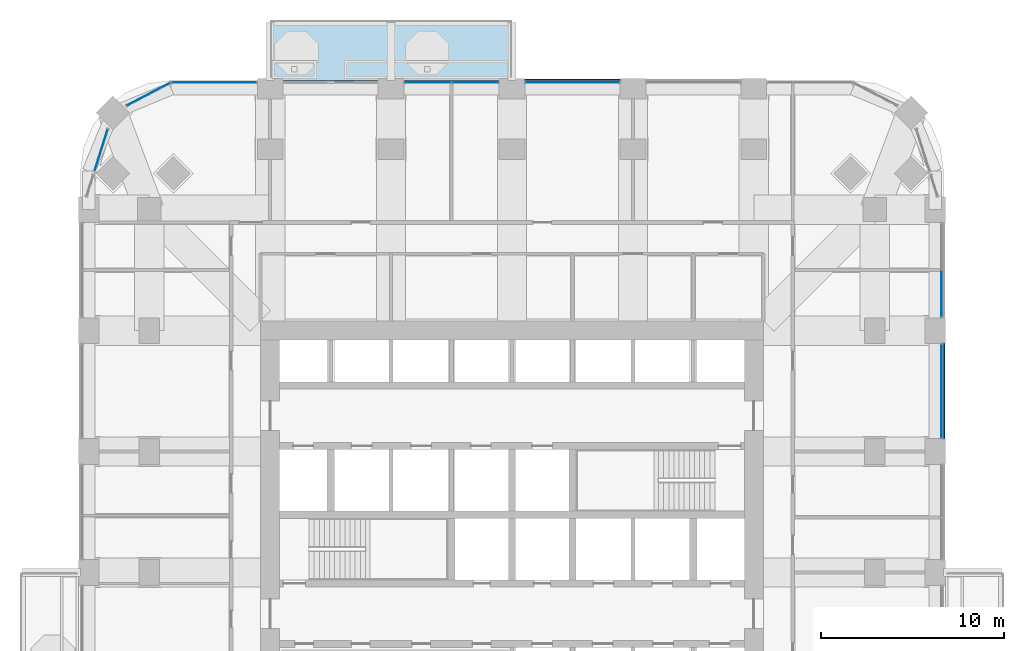
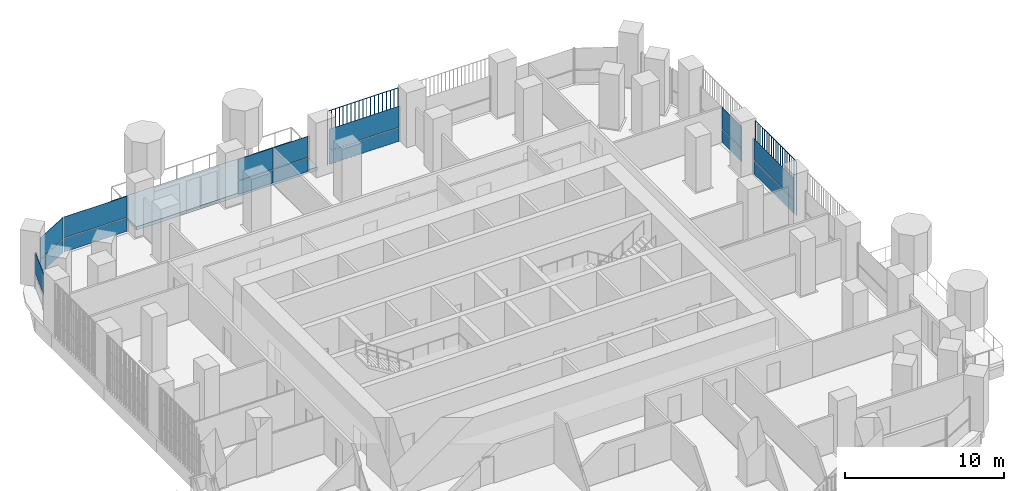
# One storey, part 11 of 21: 17 plates, 1 slab, 7 elements without a shape of their own.
"""IFC4 building model written with IfcOpenShell, lengths in metres."""

from ifc_helpers import new_model, si_unit, direction, frame, origin, origin_2d, place, context, subcontext, project, spatial, polyline, rectangle, outline, extrude, material, layer, layer_set, type_object, element, aggregate, save


model = new_model("IFC4")

# Units and contexts
model_context = context("Model", 3, precision=1e-05, world=origin(), true_north=direction((0.0, 1.0)))
body_context = subcontext(model_context, "Body", "Model", "MODEL_VIEW")
ifc_project = project(units=[si_unit("LENGTHUNIT", "METRE"), si_unit("AREAUNIT", "SQUARE_METRE"), si_unit("VOLUMEUNIT", "CUBIC_METRE"), si_unit("PLANEANGLEUNIT", "RADIAN"), si_unit("MASSUNIT", "GRAM", prefix="KILO")], contexts=[model_context])

# Site, building, storey
site_placement = place(None, origin())
site = spatial("IfcSite", under=ifc_project, at=site_placement, CompositionType="ELEMENT")
building_placement = place(site_placement, origin())
building = spatial("IfcBuilding", under=site, at=building_placement, Name="Cobogo Forest Laboratory Tower", CompositionType="ELEMENT")
storey_placement = place(building_placement, frame((0.0, 0.0, 132.60009765625)))
storey = spatial("IfcBuildingStorey", under=building, at=storey_placement, Name="L30", CompositionType="ELEMENT", Elevation=132.60009765625)

# Slab
ifc_material_1 = material(Name="Concrete HA-40 (C40/50)", Category="concrete")
ifc_layer_1 = layer(ifc_material_1, 0.25)
ifc_layer_set_1 = layer_set([ifc_layer_1], Name="Balcony slab 250")
slab_type = type_object("IfcSlabType", Name="Balcony slab 250", PredefinedType="FLOOR", material=ifc_layer_set_1)
slab_placement = place(storey_placement, frame((0.0, 0.0, -0.25)))
element("IfcSlab", 1, at=slab_placement, inside=storey, type_object=slab_type, Name="Balcony BAL-N1 L30", PredefinedType="FLOOR", context=body_context, shape_type="SweptSolid", body=[
    extrude(outline(polyline([(13.199951171875, 46.64990234375), (26.39990234375, 46.64990234375), (26.39990234375, 49.949951171875), (13.199951171875, 49.949951171875), (13.199951171875, 46.64990234375)])), origin(), (0.0, 0.0, 1.0), 0.25),
])

# Curtain wall, plates
ifc_material_2 = material(Name="Aluminium curtain wall", Category="aluminium")
curtain_wall_type = type_object("IfcCurtainWallType", Name="CW-1 unitised curtain wall, clear glazing, laboratory floors zones A and B", PredefinedType="USERDEFINED", material=ifc_material_2)
curtain_wall_1_placement = place(storey_placement, origin())
curtain_wall_1 = element("IfcCurtainWall", 2, at=curtain_wall_1_placement, inside=storey, type_object=curtain_wall_type, Name="Curtain wall 13 L30", ObjectType="UNITISED CURTAIN WALL", PredefinedType="USERDEFINED")
ifc_material_3 = material(Name="Clear insulated glass", Category="glass")
ifc_layer_2 = layer(ifc_material_3, 0.028076171875)
ifc_layer_set_2 = layer_set([ifc_layer_2], Name="GP-1 clear insulated glass unit 28")
plate_type_1 = type_object("IfcPlateType", Name="GP-1 clear insulated glass unit 28", PredefinedType="CURTAIN_PANEL", material=ifc_layer_set_2)
plate_1_placement = place(storey_placement, frame((49.85009765625, 29.699951171875, 0.0), z_axis=(0.0, 0.0, 1.0), x_axis=(0.0, 1.0, 0.0)))
plate_1 = element("IfcPlate", 3, at=plate_1_placement, type_object=plate_type_1, Name="CW-1 panel 1.1", PredefinedType="CURTAIN_PANEL", context=body_context, shape_type="SweptSolid", body=[
    extrude(rectangle(XDim=5.080078125, YDim=0.028076171875, at=origin_2d()), origin(), (0.0, 0.0, 1.0), 1.02001953125),
])
plate_2_placement = place(storey_placement, frame((49.85009765625, 29.699951171875, 1.079833984375), z_axis=(0.0, 0.0, 1.0), x_axis=(0.0, 1.0, 0.0)))
plate_2 = element("IfcPlate", 4, at=plate_2_placement, type_object=plate_type_1, Name="CW-1 panel 1.2", PredefinedType="CURTAIN_PANEL", context=body_context, shape_type="SweptSolid", body=[
    extrude(rectangle(XDim=5.080078125, YDim=0.028076171875, at=origin_2d()), origin(), (0.0, 0.0, 1.0), 1.6201171875),
])
aggregate(curtain_wall_1, [plate_1, plate_2])

curtain_wall_2_placement = place(storey_placement, origin())
curtain_wall_2 = element("IfcCurtainWall", 5, at=curtain_wall_2_placement, inside=storey, type_object=curtain_wall_type, Name="Curtain wall 14 L30", ObjectType="UNITISED CURTAIN WALL", PredefinedType="USERDEFINED")
plate_3_placement = place(storey_placement, frame((49.85009765625, 35.014892578125, 0.0), z_axis=(0.0, 0.0, 1.0), x_axis=(0.0, 1.0, 0.0)))
plate_3 = element("IfcPlate", 6, at=plate_3_placement, type_object=plate_type_1, Name="CW-1 panel 1.1", PredefinedType="CURTAIN_PANEL", context=body_context, shape_type="SweptSolid", body=[
    extrude(rectangle(XDim=2.510009765625, YDim=0.028076171875, at=origin_2d()), origin(), (0.0, 0.0, 1.0), 1.02001953125),
])
plate_4_placement = place(storey_placement, frame((49.85009765625, 35.014892578125, 1.079833984375), z_axis=(0.0, 0.0, 1.0), x_axis=(0.0, 1.0, 0.0)))
plate_4 = element("IfcPlate", 7, at=plate_4_placement, type_object=plate_type_1, Name="CW-1 panel 1.2", PredefinedType="CURTAIN_PANEL", context=body_context, shape_type="SweptSolid", body=[
    extrude(rectangle(XDim=2.510009765625, YDim=0.028076171875, at=origin_2d()), origin(), (0.0, 0.0, 1.0), 1.6201171875),
])
aggregate(curtain_wall_2, [plate_3, plate_4])

curtain_wall_3_placement = place(storey_placement, origin())
curtain_wall_3 = element("IfcCurtainWall", 8, at=curtain_wall_3_placement, inside=storey, type_object=curtain_wall_type, Name="Curtain wall 20 L30", ObjectType="UNITISED CURTAIN WALL", PredefinedType="USERDEFINED")
plate_5_placement = place(storey_placement, frame((29.699951171875, 46.550048828125, 0.0), z_axis=(0.0, 0.0, 1.0), x_axis=(-1.0, 0.0, 0.0)))
plate_5 = element("IfcPlate", 9, at=plate_5_placement, type_object=plate_type_1, Name="CW-1 panel 1.1", PredefinedType="CURTAIN_PANEL", context=body_context, shape_type="SweptSolid", body=[
    extrude(rectangle(XDim=5.080078125, YDim=0.028076171875, at=origin_2d()), origin(), (0.0, 0.0, 1.0), 1.02001953125),
])
plate_6_placement = place(storey_placement, frame((29.699951171875, 46.550048828125, 1.079833984375), z_axis=(0.0, 0.0, 1.0), x_axis=(-1.0, 0.0, 0.0)))
plate_6 = element("IfcPlate", 10, at=plate_6_placement, type_object=plate_type_1, Name="CW-1 panel 1.2", PredefinedType="CURTAIN_PANEL", context=body_context, shape_type="SweptSolid", body=[
    extrude(rectangle(XDim=5.080078125, YDim=0.028076171875, at=origin_2d()), origin(), (0.0, 0.0, 1.0), 1.6201171875),
])
aggregate(curtain_wall_3, [plate_5, plate_6])

curtain_wall_4_placement = place(storey_placement, origin())
curtain_wall_4 = element("IfcCurtainWall", 11, at=curtain_wall_4_placement, inside=storey, type_object=curtain_wall_type, Name="Curtain wall 21 L30", ObjectType="UNITISED CURTAIN WALL", PredefinedType="USERDEFINED")
plate_7_placement = place(storey_placement, frame((24.385009765625, 46.550048828125, 0.0), z_axis=(0.0, 0.0, 1.0), x_axis=(-1.0, 0.0, 0.0)))
plate_7 = element("IfcPlate", 12, at=plate_7_placement, type_object=plate_type_1, Name="CW-1 panel 1.1", PredefinedType="CURTAIN_PANEL", context=body_context, shape_type="SweptSolid", body=[
    extrude(rectangle(XDim=2.510009765625, YDim=0.028076171875, at=origin_2d()), origin(), (0.0, 0.0, 1.0), 1.02001953125),
])
plate_8_placement = place(storey_placement, frame((24.385009765625, 46.550048828125, 1.079833984375), z_axis=(0.0, 0.0, 1.0), x_axis=(-1.0, 0.0, 0.0)))
plate_8 = element("IfcPlate", 13, at=plate_8_placement, type_object=plate_type_1, Name="CW-1 panel 1.2", PredefinedType="CURTAIN_PANEL", context=body_context, shape_type="SweptSolid", body=[
    extrude(rectangle(XDim=2.510009765625, YDim=0.028076171875, at=origin_2d()), origin(), (0.0, 0.0, 1.0), 1.6201171875),
])
plate_9_placement = place(storey_placement, frame((21.81494140625, 46.550048828125, 0.0), z_axis=(0.0, 0.0, 1.0), x_axis=(-1.0, 0.0, 0.0)))
plate_9 = element("IfcPlate", 14, at=plate_9_placement, type_object=plate_type_1, Name="CW-1 panel 2.1", PredefinedType="CURTAIN_PANEL", context=body_context, shape_type="SweptSolid", body=[
    extrude(rectangle(XDim=2.510009765625, YDim=0.028076171875, at=origin_2d()), origin(), (0.0, 0.0, 1.0), 1.02001953125),
])
plate_10_placement = place(storey_placement, frame((21.81494140625, 46.550048828125, 1.079833984375), z_axis=(0.0, 0.0, 1.0), x_axis=(-1.0, 0.0, 0.0)))
plate_10 = element("IfcPlate", 15, at=plate_10_placement, type_object=plate_type_1, Name="CW-1 panel 2.2", PredefinedType="CURTAIN_PANEL", context=body_context, shape_type="SweptSolid", body=[
    extrude(rectangle(XDim=2.510009765625, YDim=0.028076171875, at=origin_2d()), origin(), (0.0, 0.0, 1.0), 1.6201171875),
])
aggregate(curtain_wall_4, [plate_7, plate_8, plate_9, plate_10])

curtain_wall_5_placement = place(storey_placement, origin())
curtain_wall_5 = element("IfcCurtainWall", 16, at=curtain_wall_5_placement, inside=storey, type_object=curtain_wall_type, Name="Curtain wall 23 L30", ObjectType="UNITISED CURTAIN WALL", PredefinedType="USERDEFINED")
plate_11_placement = place(storey_placement, frame((10.14990234375, 46.550048828125, 0.0), z_axis=(0.0, 0.0, 1.0), x_axis=(-1.0, 0.0, 0.0)))
plate_11 = element("IfcPlate", 17, at=plate_11_placement, type_object=plate_type_1, Name="CW-1 panel 1.1", PredefinedType="CURTAIN_PANEL", context=body_context, shape_type="SweptSolid", body=[
    extrude(rectangle(XDim=4.580078125, YDim=0.028076171875, at=origin_2d()), origin(), (0.0, 0.0, 1.0), 1.02001953125),
])
plate_12_placement = place(storey_placement, frame((10.14990234375, 46.550048828125, 1.079833984375), z_axis=(0.0, 0.0, 1.0), x_axis=(-1.0, 0.0, 0.0)))
plate_12 = element("IfcPlate", 18, at=plate_12_placement, type_object=plate_type_1, Name="CW-1 panel 1.2", PredefinedType="CURTAIN_PANEL", context=body_context, shape_type="SweptSolid", body=[
    extrude(rectangle(XDim=4.580078125, YDim=0.028076171875, at=origin_2d()), origin(), (0.0, 0.0, 1.0), 1.6201171875),
])
aggregate(curtain_wall_5, [plate_11, plate_12])

curtain_wall_6_placement = place(storey_placement, origin())
curtain_wall_6 = element("IfcCurtainWall", 19, at=curtain_wall_6_placement, inside=storey, type_object=curtain_wall_type, Name="Curtain wall 24 L30", ObjectType="UNITISED CURTAIN WALL", PredefinedType="USERDEFINED")
plate_13_placement = place(storey_placement, frame((6.57080078125, 45.90576171875, 0.0), z_axis=(0.0, 0.0, 1.0), x_axis=(-0.885686547075, -0.464283685186, 0.0)))
plate_13 = element("IfcPlate", 20, at=plate_13_placement, type_object=plate_type_1, Name="CW-1 panel 1.1", PredefinedType="CURTAIN_PANEL", context=body_context, shape_type="SweptSolid", body=[
    extrude(rectangle(XDim=2.655517578125, YDim=0.028076171875, at=origin_2d()), origin(), (0.0, 0.0, 1.0), 1.02001953125),
])
plate_14_placement = place(storey_placement, frame((6.57080078125, 45.90576171875, 1.079833984375), z_axis=(0.0, 0.0, 1.0), x_axis=(-0.885686547075, -0.464283685186, 0.0)))
plate_14 = element("IfcPlate", 21, at=plate_14_placement, type_object=plate_type_1, Name="CW-1 panel 1.2", PredefinedType="CURTAIN_PANEL", context=body_context, shape_type="SweptSolid", body=[
    extrude(rectangle(XDim=2.655517578125, YDim=0.028076171875, at=origin_2d()), origin(), (0.0, 0.0, 1.0), 1.6201171875),
])
aggregate(curtain_wall_6, [plate_13, plate_14])

# Curtain wall, plate
curtain_wall_7_placement = place(storey_placement, origin())
curtain_wall_7 = element("IfcCurtainWall", 22, at=curtain_wall_7_placement, inside=storey, type_object=curtain_wall_type, Name="Curtain wall 25 L30", ObjectType="UNITISED CURTAIN WALL", PredefinedType="USERDEFINED")
plate_15_placement = place(storey_placement, frame((3.978759765625, 42.857421875, 1.079833984375), z_axis=(0.0, 0.0, 1.0), x_axis=(-0.301135291996, -0.953581425949, 0.0)))
plate_15 = element("IfcPlate", 23, at=plate_15_placement, type_object=plate_type_1, Name="CW-1 panel 1.2", PredefinedType="CURTAIN_PANEL", context=body_context, shape_type="SweptSolid", body=[
    extrude(rectangle(XDim=2.3681640625, YDim=0.028076171875, at=origin_2d()), origin(), (0.0, 0.0, 1.0), 1.6201171875),
])
aggregate(curtain_wall_7, [plate_15])

# Plates
ifc_material_4 = material(Name="Terracotta", Category="masonry")
plate_type_2 = type_object("IfcPlateType", Name="TB1 terracotta baguette screen", PredefinedType="USERDEFINED", material=ifc_material_4)
plate_16_placement = place(storey_placement, frame((49.977783203125, 27.13134765625, -0.150146484375)))
element("IfcPlate", 24, at=plate_16_placement, inside=storey, type_object=plate_type_2, Name="Baguette screen E4 L30", ObjectType="BAGUETTE SCREEN", PredefinedType="USERDEFINED", context=body_context, shape_type="SweptSolid", body=[
    extrude(outline(polyline([(0.02880859375, 0.011962890625), (0.011962890625, 0.02880859375), (-0.011962890625, 0.02880859375), (-0.02880859375, 0.011962890625), (-0.02880859375, -0.011962890625), (-0.011962890625, -0.02880859375), (0.011962890625, -0.02880859375), (0.02880859375, -0.011962890625), (0.02880859375, 0.011962890625)])), frame((0.0, 0.0, 4.168701171875), z_axis=(0.0, 1.0, 0.0), x_axis=(-1.0, 0.0, 0.0)), (0.0, 0.0, 1.0), 5.137451171875),
    extrude(outline(polyline([(0.02880859375, 0.011962890625), (0.011962890625, 0.02880859375), (-0.011962890625, 0.02880859375), (-0.02880859375, 0.011962890625), (-0.02880859375, -0.011962890625), (-0.011962890625, -0.02880859375), (0.011962890625, -0.02880859375), (0.02880859375, -0.011962890625), (0.02880859375, 0.011962890625)])), origin(), (0.0, 0.0, 1.0), 4.137451171875),
    extrude(outline(polyline([(0.02880859375, 0.011962890625), (0.011962890625, 0.02880859375), (-0.011962890625, 0.02880859375), (-0.02880859375, 0.011962890625), (-0.02880859375, -0.011962890625), (-0.011962890625, -0.02880859375), (0.011962890625, -0.02880859375), (0.02880859375, -0.011962890625), (0.02880859375, 0.011962890625)])), frame((0.0, 0.285400390625, 0.0)), (0.0, 0.0, 1.0), 4.137451171875),
    extrude(outline(polyline([(0.02880859375, 0.011962890625), (0.011962890625, 0.02880859375), (-0.011962890625, 0.02880859375), (-0.02880859375, 0.011962890625), (-0.02880859375, -0.011962890625), (-0.011962890625, -0.02880859375), (0.011962890625, -0.02880859375), (0.02880859375, -0.011962890625), (0.02880859375, 0.011962890625)])), frame((0.0, 0.57080078125, 0.0)), (0.0, 0.0, 1.0), 4.137451171875),
    extrude(outline(polyline([(0.02880859375, 0.011962890625), (0.011962890625, 0.02880859375), (-0.011962890625, 0.02880859375), (-0.02880859375, 0.011962890625), (-0.02880859375, -0.011962890625), (-0.011962890625, -0.02880859375), (0.011962890625, -0.02880859375), (0.02880859375, -0.011962890625), (0.02880859375, 0.011962890625)])), frame((0.0, 0.856201171875, 0.0)), (0.0, 0.0, 1.0), 4.137451171875),
    extrude(outline(polyline([(0.02880859375, 0.011962890625), (0.011962890625, 0.02880859375), (-0.011962890625, 0.02880859375), (-0.02880859375, 0.011962890625), (-0.02880859375, -0.011962890625), (-0.011962890625, -0.02880859375), (0.011962890625, -0.02880859375), (0.02880859375, -0.011962890625), (0.02880859375, 0.011962890625)])), frame((0.0, 1.1416015625, 0.0)), (0.0, 0.0, 1.0), 4.137451171875),
    extrude(outline(polyline([(0.02880859375, 0.011962890625), (0.011962890625, 0.02880859375), (-0.011962890625, 0.02880859375), (-0.02880859375, 0.011962890625), (-0.02880859375, -0.011962890625), (-0.011962890625, -0.02880859375), (0.011962890625, -0.02880859375), (0.02880859375, -0.011962890625), (0.02880859375, 0.011962890625)])), frame((0.0, 1.427001953125, 0.0)), (0.0, 0.0, 1.0), 4.137451171875),
    extrude(outline(polyline([(0.02880859375, 0.011962890625), (0.011962890625, 0.02880859375), (-0.011962890625, 0.02880859375), (-0.02880859375, 0.011962890625), (-0.02880859375, -0.011962890625), (-0.011962890625, -0.02880859375), (0.011962890625, -0.02880859375), (0.02880859375, -0.011962890625), (0.02880859375, 0.011962890625)])), frame((0.0, 1.71240234375, 0.0)), (0.0, 0.0, 1.0), 4.137451171875),
    extrude(outline(polyline([(0.02880859375, 0.011962890625), (0.011962890625, 0.02880859375), (-0.011962890625, 0.02880859375), (-0.02880859375, 0.011962890625), (-0.02880859375, -0.011962890625), (-0.011962890625, -0.02880859375), (0.011962890625, -0.02880859375), (0.02880859375, -0.011962890625), (0.02880859375, 0.011962890625)])), frame((0.0, 1.997802734375, 0.0)), (0.0, 0.0, 1.0), 4.137451171875),
    extrude(outline(polyline([(0.02880859375, 0.011962890625), (0.011962890625, 0.02880859375), (-0.011962890625, 0.02880859375), (-0.02880859375, 0.011962890625), (-0.02880859375, -0.011962890625), (-0.011962890625, -0.02880859375), (0.011962890625, -0.02880859375), (0.02880859375, -0.011962890625), (0.02880859375, 0.011962890625)])), frame((0.0, 2.283203125, 0.0)), (0.0, 0.0, 1.0), 4.137451171875),
    extrude(outline(polyline([(0.02880859375, 0.011962890625), (0.011962890625, 0.02880859375), (-0.011962890625, 0.02880859375), (-0.02880859375, 0.011962890625), (-0.02880859375, -0.011962890625), (-0.011962890625, -0.02880859375), (0.011962890625, -0.02880859375), (0.02880859375, -0.011962890625), (0.02880859375, 0.011962890625)])), frame((0.0, 2.56884765625, 0.0)), (0.0, 0.0, 1.0), 4.137451171875),
    extrude(outline(polyline([(0.02880859375, 0.011962890625), (0.011962890625, 0.02880859375), (-0.011962890625, 0.02880859375), (-0.02880859375, 0.011962890625), (-0.02880859375, -0.011962890625), (-0.011962890625, -0.02880859375), (0.011962890625, -0.02880859375), (0.02880859375, -0.011962890625), (0.02880859375, 0.011962890625)])), frame((0.0, 2.854248046875, 0.0)), (0.0, 0.0, 1.0), 4.137451171875),
    extrude(outline(polyline([(0.02880859375, 0.011962890625), (0.011962890625, 0.02880859375), (-0.011962890625, 0.02880859375), (-0.02880859375, 0.011962890625), (-0.02880859375, -0.011962890625), (-0.011962890625, -0.02880859375), (0.011962890625, -0.02880859375), (0.02880859375, -0.011962890625), (0.02880859375, 0.011962890625)])), frame((0.0, 3.1396484375, 0.0)), (0.0, 0.0, 1.0), 4.137451171875),
    extrude(outline(polyline([(0.02880859375, 0.011962890625), (0.011962890625, 0.02880859375), (-0.011962890625, 0.02880859375), (-0.02880859375, 0.011962890625), (-0.02880859375, -0.011962890625), (-0.011962890625, -0.02880859375), (0.011962890625, -0.02880859375), (0.02880859375, -0.011962890625), (0.02880859375, 0.011962890625)])), frame((0.0, 3.425048828125, 0.0)), (0.0, 0.0, 1.0), 4.137451171875),
    extrude(outline(polyline([(0.02880859375, 0.011962890625), (0.011962890625, 0.02880859375), (-0.011962890625, 0.02880859375), (-0.02880859375, 0.011962890625), (-0.02880859375, -0.011962890625), (-0.011962890625, -0.02880859375), (0.011962890625, -0.02880859375), (0.02880859375, -0.011962890625), (0.02880859375, 0.011962890625)])), frame((0.0, 3.71044921875, 0.0)), (0.0, 0.0, 1.0), 4.137451171875),
    extrude(outline(polyline([(0.02880859375, 0.011962890625), (0.011962890625, 0.02880859375), (-0.011962890625, 0.02880859375), (-0.02880859375, 0.011962890625), (-0.02880859375, -0.011962890625), (-0.011962890625, -0.02880859375), (0.011962890625, -0.02880859375), (0.02880859375, -0.011962890625), (0.02880859375, 0.011962890625)])), frame((0.0, 3.995849609375, 0.0)), (0.0, 0.0, 1.0), 4.137451171875),
    extrude(outline(polyline([(0.02880859375, 0.011962890625), (0.011962890625, 0.02880859375), (-0.011962890625, 0.02880859375), (-0.02880859375, 0.011962890625), (-0.02880859375, -0.011962890625), (-0.011962890625, -0.02880859375), (0.011962890625, -0.02880859375), (0.02880859375, -0.011962890625), (0.02880859375, 0.011962890625)])), frame((0.0, 4.28125, 0.0)), (0.0, 0.0, 1.0), 4.137451171875),
    extrude(outline(polyline([(0.02880859375, 0.011962890625), (0.011962890625, 0.02880859375), (-0.011962890625, 0.02880859375), (-0.02880859375, 0.011962890625), (-0.02880859375, -0.011962890625), (-0.011962890625, -0.02880859375), (0.011962890625, -0.02880859375), (0.02880859375, -0.011962890625), (0.02880859375, 0.011962890625)])), frame((0.0, 4.566650390625, 0.0)), (0.0, 0.0, 1.0), 4.137451171875),
    extrude(outline(polyline([(0.02880859375, 0.011962890625), (0.011962890625, 0.02880859375), (-0.011962890625, 0.02880859375), (-0.02880859375, 0.011962890625), (-0.02880859375, -0.011962890625), (-0.011962890625, -0.02880859375), (0.011962890625, -0.02880859375), (0.02880859375, -0.011962890625), (0.02880859375, 0.011962890625)])), frame((0.0, 4.85205078125, 0.0)), (0.0, 0.0, 1.0), 4.137451171875),
    extrude(outline(polyline([(0.02880859375, 0.011962890625), (0.011962890625, 0.02880859375), (-0.011962890625, 0.02880859375), (-0.02880859375, 0.011962890625), (-0.02880859375, -0.011962890625), (-0.011962890625, -0.02880859375), (0.011962890625, -0.02880859375), (0.02880859375, -0.011962890625), (0.02880859375, 0.011962890625)])), frame((0.0, 5.137451171875, 0.0)), (0.0, 0.0, 1.0), 4.137451171875),
])
plate_17_placement = place(storey_placement, frame((27.13134765625, 46.677978515625, -0.150146484375)))
element("IfcPlate", 25, at=plate_17_placement, inside=storey, type_object=plate_type_2, Name="Baguette screen N3 L30", ObjectType="BAGUETTE SCREEN", PredefinedType="USERDEFINED", context=body_context, shape_type="SweptSolid", body=[
    extrude(outline(polyline([(0.02880859375, 0.011962890625), (0.011962890625, 0.02880859375), (-0.011962890625, 0.02880859375), (-0.02880859375, 0.011962890625), (-0.02880859375, -0.011962890625), (-0.011962890625, -0.02880859375), (0.011962890625, -0.02880859375), (0.02880859375, -0.011962890625), (0.02880859375, 0.011962890625)])), frame((0.0, 0.0, 4.168701171875), z_axis=(1.0, 0.0, 0.0), x_axis=(0.0, 1.0, 0.0)), (0.0, 0.0, 1.0), 5.137451171875),
    extrude(outline(polyline([(0.02880859375, 0.011962890625), (0.011962890625, 0.02880859375), (-0.011962890625, 0.02880859375), (-0.02880859375, 0.011962890625), (-0.02880859375, -0.011962890625), (-0.011962890625, -0.02880859375), (0.011962890625, -0.02880859375), (0.02880859375, -0.011962890625), (0.02880859375, 0.011962890625)])), origin(), (0.0, 0.0, 1.0), 4.137451171875),
    extrude(outline(polyline([(0.02880859375, 0.011962890625), (0.011962890625, 0.02880859375), (-0.011962890625, 0.02880859375), (-0.02880859375, 0.011962890625), (-0.02880859375, -0.011962890625), (-0.011962890625, -0.02880859375), (0.011962890625, -0.02880859375), (0.02880859375, -0.011962890625), (0.02880859375, 0.011962890625)])), frame((0.285400390625, 0.0, 0.0)), (0.0, 0.0, 1.0), 4.137451171875),
    extrude(outline(polyline([(0.02880859375, 0.011962890625), (0.011962890625, 0.02880859375), (-0.011962890625, 0.02880859375), (-0.02880859375, 0.011962890625), (-0.02880859375, -0.011962890625), (-0.011962890625, -0.02880859375), (0.011962890625, -0.02880859375), (0.02880859375, -0.011962890625), (0.02880859375, 0.011962890625)])), frame((0.57080078125, 0.0, 0.0)), (0.0, 0.0, 1.0), 4.137451171875),
    extrude(outline(polyline([(0.02880859375, 0.011962890625), (0.011962890625, 0.02880859375), (-0.011962890625, 0.02880859375), (-0.02880859375, 0.011962890625), (-0.02880859375, -0.011962890625), (-0.011962890625, -0.02880859375), (0.011962890625, -0.02880859375), (0.02880859375, -0.011962890625), (0.02880859375, 0.011962890625)])), frame((0.856201171875, 0.0, 0.0)), (0.0, 0.0, 1.0), 4.137451171875),
    extrude(outline(polyline([(0.02880859375, 0.011962890625), (0.011962890625, 0.02880859375), (-0.011962890625, 0.02880859375), (-0.02880859375, 0.011962890625), (-0.02880859375, -0.011962890625), (-0.011962890625, -0.02880859375), (0.011962890625, -0.02880859375), (0.02880859375, -0.011962890625), (0.02880859375, 0.011962890625)])), frame((1.1416015625, 0.0, 0.0)), (0.0, 0.0, 1.0), 4.137451171875),
    extrude(outline(polyline([(0.02880859375, 0.011962890625), (0.011962890625, 0.02880859375), (-0.011962890625, 0.02880859375), (-0.02880859375, 0.011962890625), (-0.02880859375, -0.011962890625), (-0.011962890625, -0.02880859375), (0.011962890625, -0.02880859375), (0.02880859375, -0.011962890625), (0.02880859375, 0.011962890625)])), frame((1.427001953125, 0.0, 0.0)), (0.0, 0.0, 1.0), 4.137451171875),
    extrude(outline(polyline([(0.02880859375, 0.011962890625), (0.011962890625, 0.02880859375), (-0.011962890625, 0.02880859375), (-0.02880859375, 0.011962890625), (-0.02880859375, -0.011962890625), (-0.011962890625, -0.02880859375), (0.011962890625, -0.02880859375), (0.02880859375, -0.011962890625), (0.02880859375, 0.011962890625)])), frame((1.71240234375, 0.0, 0.0)), (0.0, 0.0, 1.0), 4.137451171875),
    extrude(outline(polyline([(0.02880859375, 0.011962890625), (0.011962890625, 0.02880859375), (-0.011962890625, 0.02880859375), (-0.02880859375, 0.011962890625), (-0.02880859375, -0.011962890625), (-0.011962890625, -0.02880859375), (0.011962890625, -0.02880859375), (0.02880859375, -0.011962890625), (0.02880859375, 0.011962890625)])), frame((1.997802734375, 0.0, 0.0)), (0.0, 0.0, 1.0), 4.137451171875),
    extrude(outline(polyline([(0.02880859375, 0.011962890625), (0.011962890625, 0.02880859375), (-0.011962890625, 0.02880859375), (-0.02880859375, 0.011962890625), (-0.02880859375, -0.011962890625), (-0.011962890625, -0.02880859375), (0.011962890625, -0.02880859375), (0.02880859375, -0.011962890625), (0.02880859375, 0.011962890625)])), frame((2.283203125, 0.0, 0.0)), (0.0, 0.0, 1.0), 4.137451171875),
    extrude(outline(polyline([(0.02880859375, 0.011962890625), (0.011962890625, 0.02880859375), (-0.011962890625, 0.02880859375), (-0.02880859375, 0.011962890625), (-0.02880859375, -0.011962890625), (-0.011962890625, -0.02880859375), (0.011962890625, -0.02880859375), (0.02880859375, -0.011962890625), (0.02880859375, 0.011962890625)])), frame((2.56884765625, 0.0, 0.0)), (0.0, 0.0, 1.0), 4.137451171875),
    extrude(outline(polyline([(0.02880859375, 0.011962890625), (0.011962890625, 0.02880859375), (-0.011962890625, 0.02880859375), (-0.02880859375, 0.011962890625), (-0.02880859375, -0.011962890625), (-0.011962890625, -0.02880859375), (0.011962890625, -0.02880859375), (0.02880859375, -0.011962890625), (0.02880859375, 0.011962890625)])), frame((2.854248046875, 0.0, 0.0)), (0.0, 0.0, 1.0), 4.137451171875),
    extrude(outline(polyline([(0.02880859375, 0.011962890625), (0.011962890625, 0.02880859375), (-0.011962890625, 0.02880859375), (-0.02880859375, 0.011962890625), (-0.02880859375, -0.011962890625), (-0.011962890625, -0.02880859375), (0.011962890625, -0.02880859375), (0.02880859375, -0.011962890625), (0.02880859375, 0.011962890625)])), frame((3.1396484375, 0.0, 0.0)), (0.0, 0.0, 1.0), 4.137451171875),
    extrude(outline(polyline([(0.02880859375, 0.011962890625), (0.011962890625, 0.02880859375), (-0.011962890625, 0.02880859375), (-0.02880859375, 0.011962890625), (-0.02880859375, -0.011962890625), (-0.011962890625, -0.02880859375), (0.011962890625, -0.02880859375), (0.02880859375, -0.011962890625), (0.02880859375, 0.011962890625)])), frame((3.425048828125, 0.0, 0.0)), (0.0, 0.0, 1.0), 4.137451171875),
    extrude(outline(polyline([(0.02880859375, 0.011962890625), (0.011962890625, 0.02880859375), (-0.011962890625, 0.02880859375), (-0.02880859375, 0.011962890625), (-0.02880859375, -0.011962890625), (-0.011962890625, -0.02880859375), (0.011962890625, -0.02880859375), (0.02880859375, -0.011962890625), (0.02880859375, 0.011962890625)])), frame((3.71044921875, 0.0, 0.0)), (0.0, 0.0, 1.0), 4.137451171875),
    extrude(outline(polyline([(0.02880859375, 0.011962890625), (0.011962890625, 0.02880859375), (-0.011962890625, 0.02880859375), (-0.02880859375, 0.011962890625), (-0.02880859375, -0.011962890625), (-0.011962890625, -0.02880859375), (0.011962890625, -0.02880859375), (0.02880859375, -0.011962890625), (0.02880859375, 0.011962890625)])), frame((3.995849609375, 0.0, 0.0)), (0.0, 0.0, 1.0), 4.137451171875),
    extrude(outline(polyline([(0.02880859375, 0.011962890625), (0.011962890625, 0.02880859375), (-0.011962890625, 0.02880859375), (-0.02880859375, 0.011962890625), (-0.02880859375, -0.011962890625), (-0.011962890625, -0.02880859375), (0.011962890625, -0.02880859375), (0.02880859375, -0.011962890625), (0.02880859375, 0.011962890625)])), frame((4.28125, 0.0, 0.0)), (0.0, 0.0, 1.0), 4.137451171875),
    extrude(outline(polyline([(0.02880859375, 0.011962890625), (0.011962890625, 0.02880859375), (-0.011962890625, 0.02880859375), (-0.02880859375, 0.011962890625), (-0.02880859375, -0.011962890625), (-0.011962890625, -0.02880859375), (0.011962890625, -0.02880859375), (0.02880859375, -0.011962890625), (0.02880859375, 0.011962890625)])), frame((4.566650390625, 0.0, 0.0)), (0.0, 0.0, 1.0), 4.137451171875),
    extrude(outline(polyline([(0.02880859375, 0.011962890625), (0.011962890625, 0.02880859375), (-0.011962890625, 0.02880859375), (-0.02880859375, 0.011962890625), (-0.02880859375, -0.011962890625), (-0.011962890625, -0.02880859375), (0.011962890625, -0.02880859375), (0.02880859375, -0.011962890625), (0.02880859375, 0.011962890625)])), frame((4.85205078125, 0.0, 0.0)), (0.0, 0.0, 1.0), 4.137451171875),
    extrude(outline(polyline([(0.02880859375, 0.011962890625), (0.011962890625, 0.02880859375), (-0.011962890625, 0.02880859375), (-0.02880859375, 0.011962890625), (-0.02880859375, -0.011962890625), (-0.011962890625, -0.02880859375), (0.011962890625, -0.02880859375), (0.02880859375, -0.011962890625), (0.02880859375, 0.011962890625)])), frame((5.137451171875, 0.0, 0.0)), (0.0, 0.0, 1.0), 4.137451171875),
])

save(model, "model.ifc")
